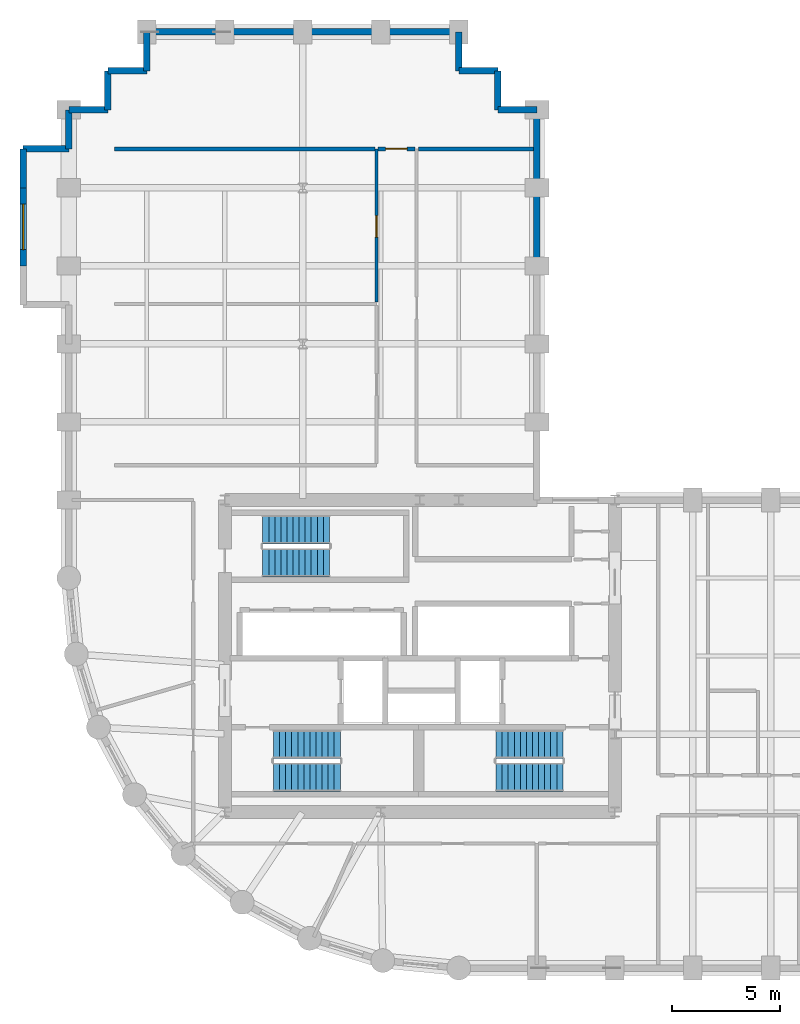
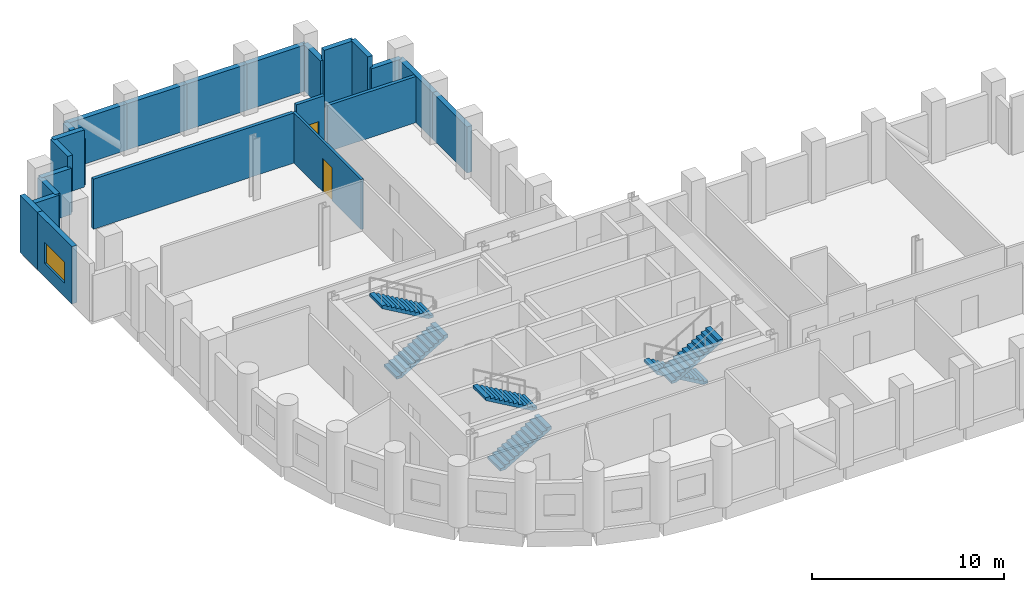
# One storey, part 6 of 8: 22 walls, 6 stair flights, 2 doors, 1 window, 3 openings, 3 elements without a shape of their own.
"""IFC4 building model written with IfcOpenShell, lengths in metres."""

from ifc_helpers import new_model, si_unit, direction, frame, frame_2d, origin, place, context, subcontext, project, spatial, polyline, rectangle, outline, extrude, material, layer, layer_set, type_object, element, fill, aggregate, save


model = new_model("IFC4")

# Units and contexts
model_context = context("Model", 3, precision=1e-05, world=origin(), true_north=direction((0.0, 1.0)))
body_context = subcontext(model_context, "Body", "Model", "MODEL_VIEW")
ifc_project = project(units=[si_unit("LENGTHUNIT", "METRE"), si_unit("AREAUNIT", "SQUARE_METRE"), si_unit("VOLUMEUNIT", "CUBIC_METRE"), si_unit("PLANEANGLEUNIT", "RADIAN"), si_unit("MASSUNIT", "GRAM", prefix="KILO")], contexts=[model_context])

# Site, building, storey
site_placement = place(None, origin())
site = spatial("IfcSite", under=ifc_project, at=site_placement, CompositionType="ELEMENT")
building_placement = place(site_placement, origin())
building = spatial("IfcBuilding", under=site, at=building_placement, Name="Solnavia Interchange Tower", CompositionType="ELEMENT")
storey_placement = place(building_placement, frame((0.0, 0.0, 84.0)))
storey = spatial("IfcBuildingStorey", under=building, at=storey_placement, Name="L20", CompositionType="ELEMENT", Elevation=84.0)

# Walls
ifc_material_1 = material(Name="Gypsum Acoustic Twin-Stud & Mineral Wool", Category="gypsum")
ifc_layer_1 = layer(ifc_material_1, 0.199951171875)
ifc_layer_set_1 = layer_set([ifc_layer_1], Name="Gypsum Acoustic Twin-Stud & Mineral Wool")
wall_type_1 = type_object("IfcWallType", Name="Wall-ApartmentParty-200", PredefinedType="PARTITIONING", material=ifc_layer_set_1)
wall_1_placement = place(storey_placement, frame((9.300048828125, 41.39990234375, 0.0), z_axis=(0.0, 0.0, 1.0), x_axis=(1.0, 0.0, 0.0)))
element("IfcWall", 1, at=wall_1_placement, inside=storey, type_object=wall_type_1, Name="PTW-L20-34 Interior partition wall", PredefinedType="PARTITIONING", context=body_context, shape_type="SweptSolid", body=[
    extrude(rectangle(XDim=12.02099609375, YDim=0.199951171875, at=frame_2d((6.010498046875, 0.0))), origin(), (0.0, 0.0, 1.0), 3.179931640625),
])
wall_2_placement = place(storey_placement, frame((23.3291015625, 41.39990234375, 0.0), z_axis=(0.0, 0.0, 1.0), x_axis=(1.0, 0.0, 0.0)))
element("IfcWall", 2, at=wall_2_placement, inside=storey, type_object=wall_type_1, Name="PTW-L20-35 Interior partition wall", PredefinedType="PARTITIONING", context=body_context, shape_type="SweptSolid", body=[
    extrude(rectangle(XDim=5.31689453125, YDim=0.199951171875, at=frame_2d((2.658447265625, 0.0))), origin(), (0.0, 0.0, 1.0), 2.929931640625),
])

# Wall, opening, door
wall_3_placement = place(storey_placement, frame((21.47900390625, 41.39990234375, 0.0), z_axis=(0.0, 0.0, 1.0), x_axis=(1.0, 0.0, 0.0)))
wall_3 = element("IfcWall", 3, at=wall_3_placement, inside=storey, type_object=wall_type_1, Name="PTW-L20-36 Interior partition wall", PredefinedType="PARTITIONING", context=body_context, shape_type="SweptSolid", body=[
    extrude(rectangle(XDim=1.69189453125, YDim=0.199951171875, at=frame_2d((0.845947265625, 0.0))), origin(), (0.0, 0.0, 1.0), 3.635009765625),
])
opening_1_placement = place(wall_3_placement, frame((0.339111328125, 0.0, 0.0)))
opening_1 = element("IfcOpeningElement", 4, at=opening_1_placement, cuts=wall_3, Name="Opening DR-06", PredefinedType="OPENING", context=body_context, shape_type="SweptSolid", body=[
    extrude(rectangle(XDim=1.0, YDim=2.10009765625, at=frame_2d((0.5, 1.050048828125))), frame((0.0, 0.10986328125, 0.0), z_axis=(0.0, -1.0, 0.0), x_axis=(1.0, 0.0, 0.0)), (0.0, 0.0, 1.0), 0.219970703125),
])
ifc_material_2 = material(Name="Engineered Timber Acoustic Fire Door", Category="wood")
door_type_1 = type_object("IfcDoorType", Name="Door-FlatEntry-1000x2100", OperationType="SINGLE_SWING_LEFT", PredefinedType="DOOR", material=ifc_material_2)
door_1_placement = place(opening_1_placement, origin())
door_1 = element("IfcDoor", 5, at=door_1_placement, inside=storey, type_object=door_type_1, Name="DR-L20-17 Interior room door", OperationType="SINGLE_SWING_LEFT", OverallHeight=2.10009765625, OverallWidth=1.0, PredefinedType="DOOR", context=body_context, shape_type="SweptSolid", body=[
    extrude(rectangle(XDim=1.0, YDim=2.10009765625, at=frame_2d((0.5, 1.050048828125))), frame((0.0, 0.02490234375, 0.0), z_axis=(0.0, -1.0, 0.0), x_axis=(1.0, 0.0, 0.0)), (0.0, 0.0, 1.0), 0.050048828125),
])
fill(opening_1, door_1)

# Walls
ifc_material_3 = material(Name="Concrete C40/50", Category="concrete")
ifc_layer_2 = layer(ifc_material_3, 0.300048828125)
ifc_layer_set_2 = layer_set([ifc_layer_2], Name="Concrete C40/50")
wall_type_2 = type_object("IfcWallType", Name="Wall-ExtSpandrel-300", PredefinedType="STANDARD", material=ifc_layer_set_2)
wall_4_placement = place(storey_placement, frame((28.800048828125, 39.60009765625, 0.0), z_axis=(0.0, 0.0, 1.0), x_axis=(0.0, -1.0, 0.0)))
element("IfcWall", 6, at=wall_4_placement, inside=storey, type_object=wall_type_2, Name="EXW-L20-31 Exterior precast spandrel wall", PredefinedType="STANDARD", context=body_context, shape_type="SweptSolid", body=[
    extrude(rectangle(XDim=3.60009765625, YDim=0.300048828125, at=frame_2d((1.800048828125, 0.0))), origin(), (0.0, 0.0, 1.0), 2.929931640625),
])
wall_5_placement = place(storey_placement, frame((28.800048828125, 43.199951171875, 0.0), z_axis=(0.0, 0.0, 1.0), x_axis=(0.0, -1.0, 0.0)))
element("IfcWall", 7, at=wall_5_placement, inside=storey, type_object=wall_type_2, Name="EXW-L20-32 Exterior precast spandrel wall", PredefinedType="STANDARD", context=body_context, shape_type="SweptSolid", body=[
    extrude(rectangle(XDim=3.599853515625, YDim=0.300048828125, at=frame_2d((1.7998046875, 0.0))), origin(), (0.0, 0.0, 1.0), 2.929931640625),
])
wall_6_placement = place(storey_placement, frame((27.0, 43.199951171875, 0.0), z_axis=(0.0, 0.0, 1.0), x_axis=(1.0, 0.0, 0.0)))
element("IfcWall", 8, at=wall_6_placement, inside=storey, type_object=wall_type_2, Name="EXW-L20-33 Exterior precast spandrel wall", PredefinedType="STANDARD", context=body_context, shape_type="SweptSolid", body=[
    extrude(rectangle(XDim=1.800048828125, YDim=0.300048828125, at=frame_2d((0.89990234375, 0.0))), origin(), (0.0, 0.0, 1.0), 2.929931640625),
])
for number, where, z_axis, x_axis, name in (
    (9, (27.0, 43.199951171875, 0.0), (0.0, 0.0, 1.0), (0.0, 1.0, 0.0), "EXW-L20-34 Exterior precast spandrel wall"),
    (10, (25.199951171875, 45.0, 0.0), (0.0, 0.0, 1.0), (1.0, 0.0, 0.0), "EXW-L20-35 Exterior precast spandrel wall"),
):
    element("IfcWall", number, at=place(storey_placement, frame(where, z_axis=z_axis, x_axis=x_axis)), inside=storey, type_object=wall_type_2, Name=name, PredefinedType="STANDARD", context=body_context, shape_type="SweptSolid", body=[
        extrude(rectangle(XDim=1.800048828125, YDim=0.300048828125, at=frame_2d((0.89990234375, 0.0))), origin(), (0.0, 0.0, 1.0), 3.635009765625),
    ])
wall_7_placement = place(storey_placement, frame((25.199951171875, 45.0, 0.0), z_axis=(0.0, 0.0, 1.0), x_axis=(0.0, 1.0, 0.0)))
element("IfcWall", 11, at=wall_7_placement, inside=storey, type_object=wall_type_2, Name="EXW-L20-36 Exterior precast spandrel wall", PredefinedType="STANDARD", context=body_context, shape_type="SweptSolid", body=[
    extrude(rectangle(XDim=1.800048828125, YDim=0.300048828125, at=frame_2d((0.89990234375, 0.0))), origin(), (0.0, 0.0, 1.0), 2.929931640625),
])
wall_8_placement = place(storey_placement, frame((21.60009765625, 46.800048828125, 0.0), z_axis=(0.0, 0.0, 1.0), x_axis=(1.0, 0.0, 0.0)))
element("IfcWall", 12, at=wall_8_placement, inside=storey, type_object=wall_type_2, Name="EXW-L20-37 Exterior precast spandrel wall", PredefinedType="STANDARD", context=body_context, shape_type="SweptSolid", body=[
    extrude(rectangle(XDim=3.599853515625, YDim=0.300048828125, at=frame_2d((1.7998046875, 0.0))), origin(), (0.0, 0.0, 1.0), 2.929931640625),
])
for number, where, z_axis, x_axis, name in (
    (13, (18.0, 46.800048828125, 0.0), (0.0, 0.0, 1.0), (1.0, 0.0, 0.0), "EXW-L20-38 Exterior precast spandrel wall"),
    (14, (14.39990234375, 46.800048828125, 0.0), (0.0, 0.0, 1.0), (1.0, 0.0, 0.0), "EXW-L20-39 Exterior precast spandrel wall"),
):
    element("IfcWall", number, at=place(storey_placement, frame(where, z_axis=z_axis, x_axis=x_axis)), inside=storey, type_object=wall_type_2, Name=name, PredefinedType="STANDARD", context=body_context, shape_type="SweptSolid", body=[
        extrude(rectangle(XDim=3.60009765625, YDim=0.300048828125, at=frame_2d((1.800048828125, 0.0))), origin(), (0.0, 0.0, 1.0), 2.929931640625),
    ])
wall_9_placement = place(storey_placement, frame((10.800048828125, 46.800048828125, 0.0), z_axis=(0.0, 0.0, 1.0), x_axis=(1.0, 0.0, 0.0)))
element("IfcWall", 15, at=wall_9_placement, inside=storey, type_object=wall_type_2, Name="EXW-L20-40 Exterior precast spandrel wall", PredefinedType="STANDARD", context=body_context, shape_type="SweptSolid", body=[
    extrude(rectangle(XDim=3.599853515625, YDim=0.300048828125, at=frame_2d((1.7998046875, 0.0))), origin(), (0.0, 0.0, 1.0), 2.929931640625),
])
wall_10_placement = place(storey_placement, frame((10.800048828125, 45.0, 0.0), z_axis=(0.0, 0.0, 1.0), x_axis=(0.0, 1.0, 0.0)))
element("IfcWall", 16, at=wall_10_placement, inside=storey, type_object=wall_type_2, Name="EXW-L20-41 Exterior precast spandrel wall", PredefinedType="STANDARD", context=body_context, shape_type="SweptSolid", body=[
    extrude(rectangle(XDim=1.800048828125, YDim=0.300048828125, at=frame_2d((0.89990234375, 0.0))), origin(), (0.0, 0.0, 1.0), 2.929931640625),
])
for number, where, z_axis, x_axis, name in (
    (17, (9.0, 45.0, 0.0), (0.0, 0.0, 1.0), (1.0, 0.0, 0.0), "EXW-L20-42 Exterior precast spandrel wall"),
    (18, (9.0, 43.199951171875, 0.0), (0.0, 0.0, 1.0), (0.0, 1.0, 0.0), "EXW-L20-43 Exterior precast spandrel wall"),
):
    element("IfcWall", number, at=place(storey_placement, frame(where, z_axis=z_axis, x_axis=x_axis)), inside=storey, type_object=wall_type_2, Name=name, PredefinedType="STANDARD", context=body_context, shape_type="SweptSolid", body=[
        extrude(rectangle(XDim=1.800048828125, YDim=0.300048828125, at=frame_2d((0.89990234375, 0.0))), origin(), (0.0, 0.0, 1.0), 3.635009765625),
    ])
for number, where, z_axis, x_axis, name in (
    (19, (7.199951171875, 43.199951171875, 0.0), (0.0, 0.0, 1.0), (1.0, 0.0, 0.0), "EXW-L20-44 Exterior precast spandrel wall"),
    (20, (7.199951171875, 41.39990234375, 0.0), (0.0, 0.0, 1.0), (0.0, 1.0, 0.0), "EXW-L20-45 Exterior precast spandrel wall"),
):
    element("IfcWall", number, at=place(storey_placement, frame(where, z_axis=z_axis, x_axis=x_axis)), inside=storey, type_object=wall_type_2, Name=name, PredefinedType="STANDARD", context=body_context, shape_type="SweptSolid", body=[
        extrude(rectangle(XDim=1.800048828125, YDim=0.300048828125, at=frame_2d((0.89990234375, 0.0))), origin(), (0.0, 0.0, 1.0), 2.929931640625),
    ])
wall_11_placement = place(storey_placement, frame((5.10009765625, 41.39990234375, 0.0), z_axis=(0.0, 0.0, 1.0), x_axis=(1.0, 0.0, 0.0)))
element("IfcWall", 21, at=wall_11_placement, inside=storey, type_object=wall_type_2, Name="EXW-L20-46 Exterior precast spandrel wall", PredefinedType="STANDARD", context=body_context, shape_type="SweptSolid", body=[
    extrude(rectangle(XDim=2.099853515625, YDim=0.300048828125, at=frame_2d((1.0498046875, 0.0))), origin(), (0.0, 0.0, 1.0), 2.929931640625),
])
wall_12_placement = place(storey_placement, frame((5.10009765625, 39.60009765625, 0.0), z_axis=(0.0, 0.0, 1.0), x_axis=(0.0, 1.0, 0.0)))
element("IfcWall", 22, at=wall_12_placement, inside=storey, type_object=wall_type_2, Name="EXW-L20-47 Exterior precast spandrel wall", PredefinedType="STANDARD", context=body_context, shape_type="SweptSolid", body=[
    extrude(rectangle(XDim=1.7998046875, YDim=0.300048828125, at=frame_2d((0.89990234375, 0.0))), origin(), (0.0, 0.0, 1.0), 3.635009765625),
])

# Wall, opening, window
wall_13_placement = place(storey_placement, frame((5.10009765625, 36.0, 0.0), z_axis=(0.0, 0.0, 1.0), x_axis=(0.0, 1.0, 0.0)))
wall_13 = element("IfcWall", 23, at=wall_13_placement, inside=storey, type_object=wall_type_2, Name="EXW-L20-48 Exterior precast spandrel wall", PredefinedType="STANDARD", context=body_context, shape_type="SweptSolid", body=[
    extrude(rectangle(XDim=3.60009765625, YDim=0.300048828125, at=frame_2d((1.800048828125, 0.0))), origin(), (0.0, 0.0, 1.0), 3.635009765625),
])
opening_2_placement = place(wall_13_placement, frame((0.75, 0.0, 0.85009765625)))
opening_2 = element("IfcOpeningElement", 24, at=opening_2_placement, cuts=wall_13, Name="Opening WIN-01", PredefinedType="OPENING", context=body_context, shape_type="SweptSolid", body=[
    extrude(rectangle(XDim=2.10009765625, YDim=1.35009765625, at=frame_2d((1.050048828125, 0.675048828125))), frame((0.0, 0.16015625, 0.0), z_axis=(0.0, -1.0, 0.0), x_axis=(1.0, 0.0, 0.0)), (0.0, 0.0, 1.0), 0.320068359375),
])
ifc_material_4 = material(Name="Thermal-Break Aluminium & Low-E Glass", Category="aluminium")
window_type = type_object("IfcWindowType", Name="Window-Ribbon-2100x1350", PartitioningType="SINGLE_PANEL", PredefinedType="WINDOW", material=ifc_material_4)
window_placement = place(opening_2_placement, origin())
window = element("IfcWindow", 25, at=window_placement, inside=storey, type_object=window_type, Name="WIN-L20-48 Facade ribbon window", OverallHeight=1.35009765625, OverallWidth=2.10009765625, PartitioningType="SINGLE_PANEL", PredefinedType="WINDOW", context=body_context, shape_type="SweptSolid", body=[
    extrude(rectangle(XDim=2.10009765625, YDim=1.35009765625, at=frame_2d((1.050048828125, 0.675048828125))), frame((0.0, 0.030029296875, 0.0), z_axis=(0.0, -1.0, 0.0), x_axis=(1.0, 0.0, 0.0)), (0.0, 0.0, 1.0), 0.06005859375),
])
fill(opening_2, window)

# Wall, opening, door
ifc_material_5 = material(Name="Gypsum Plasterboard & Steel Stud", Category="steel")
ifc_layer_3 = layer(ifc_material_5, 0.14990234375)
ifc_layer_set_3 = layer_set([ifc_layer_3], Name="Gypsum Plasterboard & Steel Stud")
wall_type_3 = type_object("IfcWallType", Name="Wall-Partition-150", PredefinedType="PARTITIONING", material=ifc_layer_set_3)
wall_14_placement = place(storey_placement, frame((21.39990234375, 34.3291015625, 0.0), z_axis=(0.0, 0.0, 1.0), x_axis=(0.0, 1.0, 0.0)))
wall_14 = element("IfcWall", 26, at=wall_14_placement, inside=storey, type_object=wall_type_3, Name="PTW-L20-31 Interior partition wall", PredefinedType="PARTITIONING", context=body_context, shape_type="SweptSolid", body=[
    extrude(rectangle(XDim=7.07080078125, YDim=0.14990234375, at=frame_2d((3.535400390625, 0.0))), origin(), (0.0, 0.0, 1.0), 3.179931640625),
])
opening_3_placement = place(wall_14_placement, frame((2.99609375, 0.0, 0.0)))
opening_3 = element("IfcOpeningElement", 27, at=opening_3_placement, cuts=wall_14, Name="Opening DR-07", PredefinedType="OPENING", context=body_context, shape_type="SweptSolid", body=[
    extrude(rectangle(XDim=1.0, YDim=2.10009765625, at=frame_2d((0.5, 1.050048828125))), frame((0.0, 0.0849609375, 0.0), z_axis=(0.0, -1.0, 0.0), x_axis=(1.0, 0.0, 0.0)), (0.0, 0.0, 1.0), 0.169921875),
])
ifc_material_6 = material(Name="Timber & Acoustic Glazed Office Door", Category="wood")
door_type_2 = type_object("IfcDoorType", Name="Door-Office-1000x2100", OperationType="SINGLE_SWING_RIGHT", PredefinedType="DOOR", material=ifc_material_6)
door_2_placement = place(opening_3_placement, origin())
door_2 = element("IfcDoor", 28, at=door_2_placement, inside=storey, type_object=door_type_2, Name="DR-L20-15 Interior room door", OperationType="SINGLE_SWING_RIGHT", OverallHeight=2.10009765625, OverallWidth=1.0, PredefinedType="DOOR", context=body_context, shape_type="SweptSolid", body=[
    extrude(rectangle(XDim=1.0, YDim=2.10009765625, at=frame_2d((0.5, 1.050048828125))), frame((0.0, 0.02490234375, 0.0), z_axis=(0.0, -1.0, 0.0), x_axis=(1.0, 0.0, 0.0)), (0.0, 0.0, 1.0), 0.050048828125),
])
fill(opening_3, door_2)

# Stair, stair flights
stair_type = type_object("IfcStairType", Name="Stair-Dogleg-RC", PredefinedType="HALF_TURN_STAIR", material=ifc_material_3)
stair_1_placement = place(storey_placement, origin())
stair_1 = element("IfcStair", 29, at=stair_1_placement, inside=storey, type_object=stair_type, Name="L20 Core exit stair 1", PredefinedType="HALF_TURN_STAIR")
stair_flight_type = type_object("IfcStairFlightType", Name="StairFlight-RC-150", PredefinedType="STRAIGHT", material=ifc_material_3)
stair_flight_1_placement = place(storey_placement, frame((16.64990234375, 12.409912109375, 0.0), z_axis=(0.0, 0.0, 1.0), x_axis=(1.0, 0.0, 0.0)))
stair_flight_1 = element("IfcStairFlight", 30, at=stair_flight_1_placement, type_object=stair_flight_type, Name="ST-1 flight 1", NumberOfRisers=12, NumberOfTreads=11, PredefinedType="STRAIGHT", RiserHeight=0.1625, TreadLength=0.28, context=body_context, shape_type="SweptSolid", body=[
    extrude(outline(polyline([(0.0, 0.0), (0.0, 0.16259765625), (0.280029296875, 0.16259765625), (0.280029296875, 0.324951171875), (0.56005859375, 0.324951171875), (0.56005859375, 0.487548828125), (0.840087890625, 0.487548828125), (0.840087890625, 0.64990234375), (1.1201171875, 0.64990234375), (1.1201171875, 0.8125), (1.39990234375, 0.8125), (1.39990234375, 0.97509765625), (1.679931640625, 0.97509765625), (1.679931640625, 1.137451171875), (1.9599609375, 1.137451171875), (1.9599609375, 1.300048828125), (2.239990234375, 1.300048828125), (2.239990234375, 1.46240234375), (2.52001953125, 1.46240234375), (2.52001953125, 1.625), (2.800048828125, 1.625), (2.800048828125, 1.78759765625), (3.080078125, 1.78759765625), (3.080078125, 1.949951171875), (3.080078125, 1.6142578125), (0.298583984375, 0.0), (0.0, 0.0)])), frame((0.0, 0.66015625, 0.0), z_axis=(0.0, -1.0, 0.0), x_axis=(1.0, 0.0, 0.0)), (0.0, 0.0, 1.0), 1.320068359375),
])
stair_flight_2_placement = place(storey_placement, frame((19.72998046875, 13.929931640625, 1.949951171875), z_axis=(0.0, 0.0, 1.0), x_axis=(-1.0, 0.0, 0.0)))
stair_flight_2 = element("IfcStairFlight", 31, at=stair_flight_2_placement, type_object=stair_flight_type, Name="ST-1 flight 2", NumberOfRisers=12, NumberOfTreads=11, PredefinedType="STRAIGHT", RiserHeight=0.1625, TreadLength=0.28, context=body_context, shape_type="SweptSolid", body=[
    extrude(outline(polyline([(0.0, 0.0), (0.0, 0.16259765625), (0.280029296875, 0.16259765625), (0.280029296875, 0.324951171875), (0.56005859375, 0.324951171875), (0.56005859375, 0.487548828125), (0.840087890625, 0.487548828125), (0.840087890625, 0.64990234375), (1.1201171875, 0.64990234375), (1.1201171875, 0.8125), (1.39990234375, 0.8125), (1.39990234375, 0.97509765625), (1.679931640625, 0.97509765625), (1.679931640625, 1.137451171875), (1.9599609375, 1.137451171875), (1.9599609375, 1.300048828125), (2.239990234375, 1.300048828125), (2.239990234375, 1.46240234375), (2.52001953125, 1.46240234375), (2.52001953125, 1.625), (2.800048828125, 1.625), (2.800048828125, 1.78759765625), (3.080078125, 1.78759765625), (3.080078125, 1.949951171875), (3.080078125, 1.6142578125), (0.298583984375, 0.0), (0.0, 0.0)])), frame((0.0, 0.66015625, 0.0), z_axis=(0.0, -1.0, 0.0), x_axis=(1.0, 0.0, 0.0)), (0.0, 0.0, 1.0), 1.320068359375),
])
aggregate(stair_1, [stair_flight_1, stair_flight_2])

stair_2_placement = place(storey_placement, origin())
stair_2 = element("IfcStair", 32, at=stair_2_placement, inside=storey, type_object=stair_type, Name="L20 Core exit stair 2", PredefinedType="HALF_TURN_STAIR")
stair_flight_3_placement = place(storey_placement, frame((30.0, 13.929931640625, 0.0), z_axis=(0.0, 0.0, 1.0), x_axis=(-1.0, 0.0, 0.0)))
stair_flight_3 = element("IfcStairFlight", 33, at=stair_flight_3_placement, type_object=stair_flight_type, Name="ST-2 flight 1", NumberOfRisers=12, NumberOfTreads=11, PredefinedType="STRAIGHT", RiserHeight=0.1625, TreadLength=0.28, context=body_context, shape_type="SweptSolid", body=[
    extrude(outline(polyline([(0.0, 0.0), (0.0, 0.16259765625), (0.280029296875, 0.16259765625), (0.280029296875, 0.324951171875), (0.56005859375, 0.324951171875), (0.56005859375, 0.487548828125), (0.840087890625, 0.487548828125), (0.840087890625, 0.64990234375), (1.1201171875, 0.64990234375), (1.1201171875, 0.8125), (1.39990234375, 0.8125), (1.39990234375, 0.97509765625), (1.679931640625, 0.97509765625), (1.679931640625, 1.137451171875), (1.9599609375, 1.137451171875), (1.9599609375, 1.300048828125), (2.239990234375, 1.300048828125), (2.239990234375, 1.46240234375), (2.52001953125, 1.46240234375), (2.52001953125, 1.625), (2.800048828125, 1.625), (2.800048828125, 1.78759765625), (3.080078125, 1.78759765625), (3.080078125, 1.949951171875), (3.080078125, 1.6142578125), (0.298583984375, 0.0), (0.0, 0.0)])), frame((0.0, 0.66015625, 0.0), z_axis=(0.0, -1.0, 0.0), x_axis=(1.0, 0.0, 0.0)), (0.0, 0.0, 1.0), 1.320068359375),
])
stair_flight_4_placement = place(storey_placement, frame((26.919921875, 12.409912109375, 1.949951171875), z_axis=(0.0, 0.0, 1.0), x_axis=(1.0, 0.0, 0.0)))
stair_flight_4 = element("IfcStairFlight", 34, at=stair_flight_4_placement, type_object=stair_flight_type, Name="ST-2 flight 2", NumberOfRisers=12, NumberOfTreads=11, PredefinedType="STRAIGHT", RiserHeight=0.1625, TreadLength=0.28, context=body_context, shape_type="SweptSolid", body=[
    extrude(outline(polyline([(0.0, 0.0), (0.0, 0.16259765625), (0.280029296875, 0.16259765625), (0.280029296875, 0.324951171875), (0.56005859375, 0.324951171875), (0.56005859375, 0.487548828125), (0.840087890625, 0.487548828125), (0.840087890625, 0.64990234375), (1.1201171875, 0.64990234375), (1.1201171875, 0.8125), (1.39990234375, 0.8125), (1.39990234375, 0.97509765625), (1.679931640625, 0.97509765625), (1.679931640625, 1.137451171875), (1.9599609375, 1.137451171875), (1.9599609375, 1.300048828125), (2.239990234375, 1.300048828125), (2.239990234375, 1.46240234375), (2.52001953125, 1.46240234375), (2.52001953125, 1.625), (2.800048828125, 1.625), (2.800048828125, 1.78759765625), (3.080078125, 1.78759765625), (3.080078125, 1.949951171875), (3.080078125, 1.6142578125), (0.298583984375, 0.0), (0.0, 0.0)])), frame((0.0, 0.66015625, 0.0), z_axis=(0.0, -1.0, 0.0), x_axis=(1.0, 0.0, 0.0)), (0.0, 0.0, 1.0), 1.320068359375),
])
aggregate(stair_2, [stair_flight_3, stair_flight_4])

stair_3_placement = place(storey_placement, origin())
stair_3 = element("IfcStair", 35, at=stair_3_placement, inside=storey, type_object=stair_type, Name="L20 Core exit stair 3", PredefinedType="HALF_TURN_STAIR")
stair_flight_5_placement = place(storey_placement, frame((16.14990234375, 22.31005859375, 0.0), z_axis=(0.0, 0.0, 1.0), x_axis=(1.0, 0.0, 0.0)))
stair_flight_5 = element("IfcStairFlight", 36, at=stair_flight_5_placement, type_object=stair_flight_type, Name="ST-3 flight 1", NumberOfRisers=12, NumberOfTreads=11, PredefinedType="STRAIGHT", RiserHeight=0.1625, TreadLength=0.28, context=body_context, shape_type="SweptSolid", body=[
    extrude(outline(polyline([(0.0, 0.0), (0.0, 0.16259765625), (0.280029296875, 0.16259765625), (0.280029296875, 0.324951171875), (0.56005859375, 0.324951171875), (0.56005859375, 0.487548828125), (0.840087890625, 0.487548828125), (0.840087890625, 0.64990234375), (1.1201171875, 0.64990234375), (1.1201171875, 0.8125), (1.39990234375, 0.8125), (1.39990234375, 0.97509765625), (1.679931640625, 0.97509765625), (1.679931640625, 1.137451171875), (1.9599609375, 1.137451171875), (1.9599609375, 1.300048828125), (2.239990234375, 1.300048828125), (2.239990234375, 1.46240234375), (2.52001953125, 1.46240234375), (2.52001953125, 1.625), (2.800048828125, 1.625), (2.800048828125, 1.78759765625), (3.080078125, 1.78759765625), (3.080078125, 1.949951171875), (3.080078125, 1.6142578125), (0.298583984375, 0.0), (0.0, 0.0)])), frame((0.0, 0.66015625, 0.0), z_axis=(0.0, -1.0, 0.0), x_axis=(1.0, 0.0, 0.0)), (0.0, 0.0, 1.0), 1.320068359375),
])
stair_flight_6_placement = place(storey_placement, frame((19.22998046875, 23.830078125, 1.949951171875), z_axis=(0.0, 0.0, 1.0), x_axis=(-1.0, 0.0, 0.0)))
stair_flight_6 = element("IfcStairFlight", 37, at=stair_flight_6_placement, type_object=stair_flight_type, Name="ST-3 flight 2", NumberOfRisers=12, NumberOfTreads=11, PredefinedType="STRAIGHT", RiserHeight=0.1625, TreadLength=0.28, context=body_context, shape_type="SweptSolid", body=[
    extrude(outline(polyline([(0.0, 0.0), (0.0, 0.16259765625), (0.280029296875, 0.16259765625), (0.280029296875, 0.324951171875), (0.56005859375, 0.324951171875), (0.56005859375, 0.487548828125), (0.840087890625, 0.487548828125), (0.840087890625, 0.64990234375), (1.1201171875, 0.64990234375), (1.1201171875, 0.8125), (1.39990234375, 0.8125), (1.39990234375, 0.97509765625), (1.679931640625, 0.97509765625), (1.679931640625, 1.137451171875), (1.9599609375, 1.137451171875), (1.9599609375, 1.300048828125), (2.239990234375, 1.300048828125), (2.239990234375, 1.46240234375), (2.52001953125, 1.46240234375), (2.52001953125, 1.625), (2.800048828125, 1.625), (2.800048828125, 1.78759765625), (3.080078125, 1.78759765625), (3.080078125, 1.949951171875), (3.080078125, 1.6142578125), (0.298583984375, 0.0), (0.0, 0.0)])), frame((0.0, 0.66015625, 0.0), z_axis=(0.0, -1.0, 0.0), x_axis=(1.0, 0.0, 0.0)), (0.0, 0.0, 1.0), 1.320068359375),
])
aggregate(stair_3, [stair_flight_5, stair_flight_6])

save(model, "model.ifc")
